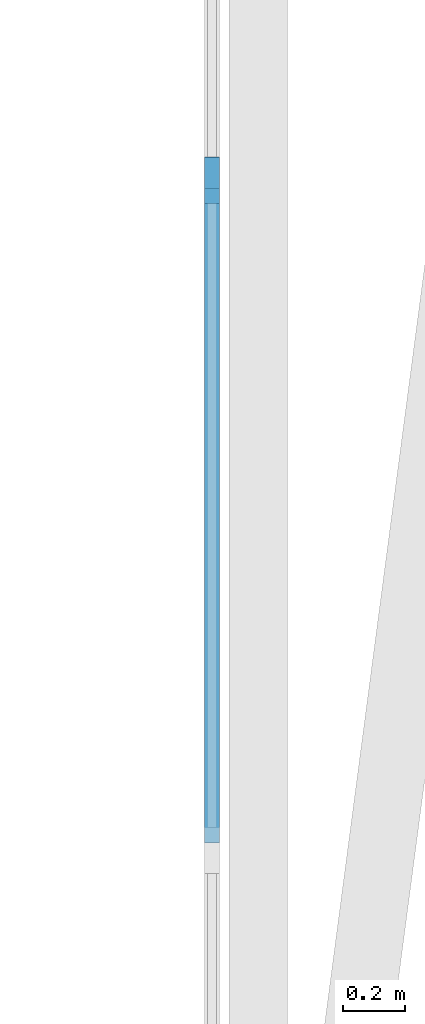
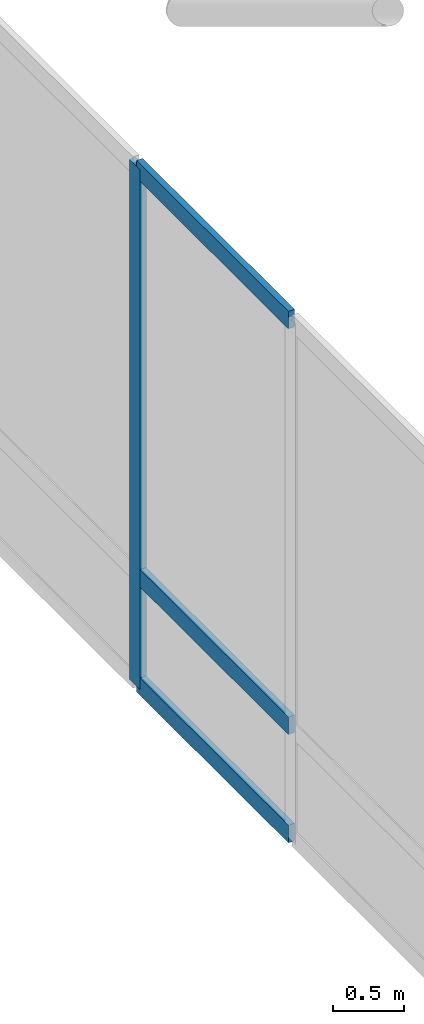
# One storey, part 20 of 79: 4 members, 1 element without a shape of its own.
"""IFC4 building model written with IfcOpenShell, lengths in metres."""

from ifc_helpers import new_model, si_unit, derived_unit, direction, frame, origin, origin_2d, place, context, subcontext, project, spatial, rectangle, extrude, material, layer, layer_set, material_profile, profile_set, type_object, element, aggregate, save


model = new_model("IFC4")

# Units and contexts
model_context = context("Model", 3, precision=1e-05, world=origin(), true_north=direction((0.0, 1.0)))
body_context = subcontext(model_context, "Body", "Model", "MODEL_VIEW")
ifc_project = project(units=[si_unit("LENGTHUNIT", "METRE"), si_unit("AREAUNIT", "SQUARE_METRE"), si_unit("VOLUMEUNIT", "CUBIC_METRE"), si_unit("PLANEANGLEUNIT", "RADIAN"), si_unit("MASSUNIT", "GRAM", prefix="KILO"), derived_unit("THERMALTRANSMITTANCEUNIT", [(si_unit("MASSUNIT", "GRAM", prefix="KILO"), 1), (si_unit("TIMEUNIT", "SECOND"), -3), (si_unit("THERMODYNAMICTEMPERATUREUNIT", "KELVIN"), -1)])], contexts=[model_context])

# Site, building, storey
site_placement = place(None, origin())
site = spatial("IfcSite", under=ifc_project, at=site_placement, CompositionType="ELEMENT")
building_placement = place(site_placement, origin())
building = spatial("IfcBuilding", under=site, at=building_placement, Name="Valcora Ridge Arena", CompositionType="ELEMENT")
storey_placement = place(building_placement, frame((0.0, 0.0, 16.199951171875)))
storey = spatial("IfcBuildingStorey", under=building, at=storey_placement, Name="L03", CompositionType="ELEMENT", Elevation=16.199951171875)

# Curtain wall, members
ifc_material = material(Name="Anodised dark bronze architectural aluminium 6063-T6", Category="aluminium")
ifc_layer = layer(ifc_material, 0.14990234375, Name="Anodised dark bronze architectural aluminium 6063-T6")
ifc_layer_set = layer_set([ifc_layer], Name="Anodised dark bronze architectural aluminium 6063-T6")
curtain_wall_type = type_object("IfcCurtainWallType", Name="TY-CURTAINWALL-CW-V1-EAST-849X44", PredefinedType="NOTDEFINED", material=ifc_layer_set)
curtain_wall_placement = place(storey_placement, origin())
curtain_wall = element("IfcCurtainWall", 1, at=curtain_wall_placement, inside=storey, type_object=curtain_wall_type, Name="CW-V1-EAST-849X44 CW-0147", PredefinedType="NOTDEFINED")
ifc_material_profile_1 = material_profile(ifc_material, rectangle(XDim=0.050048828125, YDim=0.14990234375, at=origin_2d()), Name="ALU MULLION 50x150")
ifc_profile_set_1 = profile_set([ifc_material_profile_1], Name="Anodised dark bronze architectural aluminium 6063-T6")
member_type_1 = type_object("IfcMemberType", Name="TY-MEM-CWM-50x150", PredefinedType="MULLION", material=ifc_profile_set_1)
member_1_placement = place(storey_placement, frame((95.35009765625, 63.01171875, 0.0), z_axis=(0.0, 0.0, 1.0), x_axis=(-1.0, 0.0, 0.0)))
member_1 = element("IfcMember", 2, at=member_1_placement, type_object=member_type_1, Name="CW-0147/CWM-50x150/M19", PredefinedType="MULLION", context=body_context, shape_type="SweptSolid", body=[
    extrude(rectangle(XDim=0.050048828125, YDim=0.14990234375, at=origin_2d()), origin(), (0.0, 0.0, 1.0), 4.43994140625),
])
ifc_material_profile_2 = material_profile(ifc_material, rectangle(XDim=0.050048828125, YDim=0.14990234375, at=origin_2d()), Name="ALU TRANSOM 50x150")
ifc_profile_set_2 = profile_set([ifc_material_profile_2], Name="Anodised dark bronze architectural aluminium 6063-T6")
member_type_2 = type_object("IfcMemberType", Name="TY-MEM-CWT-50x150", PredefinedType="USERDEFINED", material=ifc_profile_set_2)
member_2_placement = place(storey_placement, frame((95.35009765625, 60.85986328125, 0.025146484375), z_axis=(0.0, 1.0, 0.0), x_axis=(-1.0, 0.0, 0.0)))
member_2 = element("IfcMember", 3, at=member_2_placement, type_object=member_type_2, Name="CW-0147/CWT-50x150/T18-00", ObjectType="TRANSOM", PredefinedType="USERDEFINED", context=body_context, shape_type="SweptSolid", body=[
    extrude(rectangle(XDim=0.050048828125, YDim=0.14990234375, at=origin_2d()), origin(), (0.0, 0.0, 1.0), 2.126953125),
])
member_3_placement = place(storey_placement, frame((95.35009765625, 60.85986328125, 0.949951171875), z_axis=(0.0, 1.0, 0.0), x_axis=(-1.0, 0.0, 0.0)))
member_3 = element("IfcMember", 4, at=member_3_placement, type_object=member_type_2, Name="CW-0147/CWT-50x150/T18-01", ObjectType="TRANSOM", PredefinedType="USERDEFINED", context=body_context, shape_type="SweptSolid", body=[
    extrude(rectangle(XDim=0.050048828125, YDim=0.14990234375, at=origin_2d()), origin(), (0.0, 0.0, 1.0), 2.126953125),
])
member_4_placement = place(storey_placement, frame((95.35009765625, 60.85986328125, 4.4150390625), z_axis=(0.0, 1.0, 0.0), x_axis=(-1.0, 0.0, 0.0)))
member_4 = element("IfcMember", 5, at=member_4_placement, type_object=member_type_2, Name="CW-0147/CWT-50x150/T18-02", ObjectType="TRANSOM", PredefinedType="USERDEFINED", context=body_context, shape_type="SweptSolid", body=[
    extrude(rectangle(XDim=0.050048828125, YDim=0.14990234375, at=origin_2d()), origin(), (0.0, 0.0, 1.0), 2.126953125),
])
aggregate(curtain_wall, [member_1, member_2, member_3, member_4])

save(model, "model.ifc")
